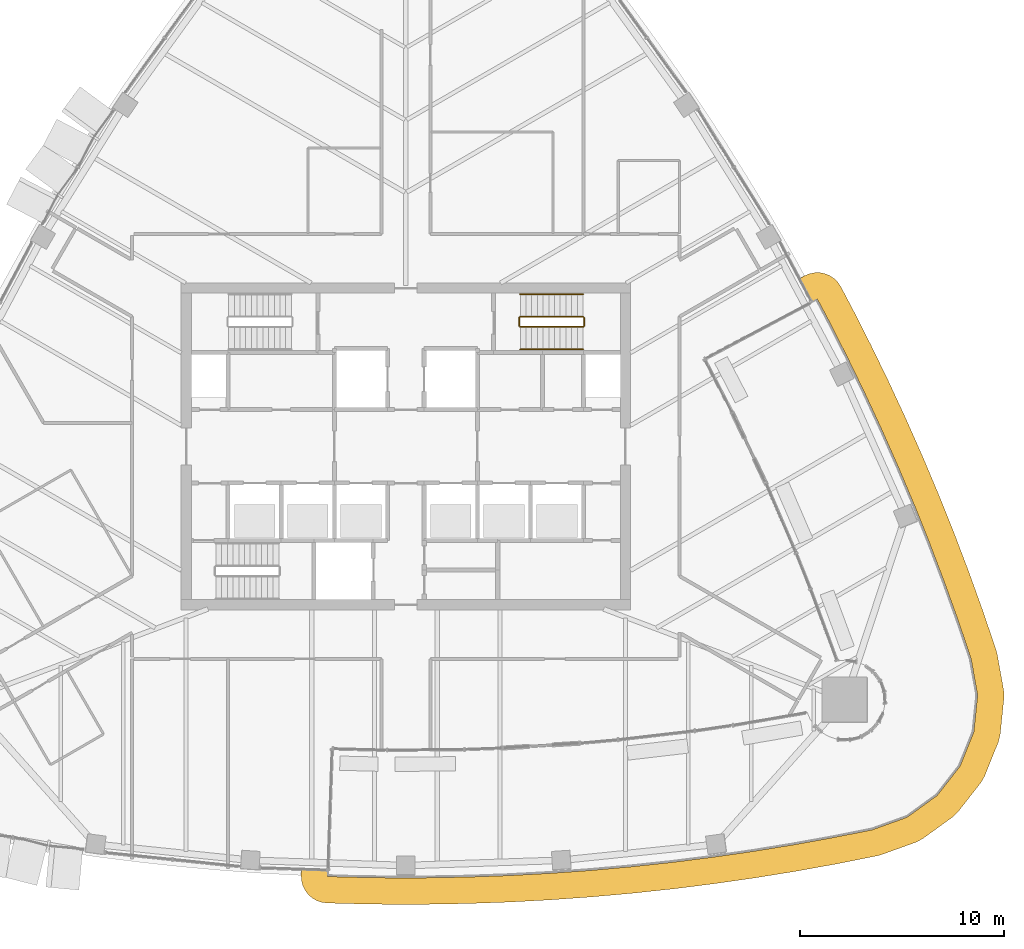
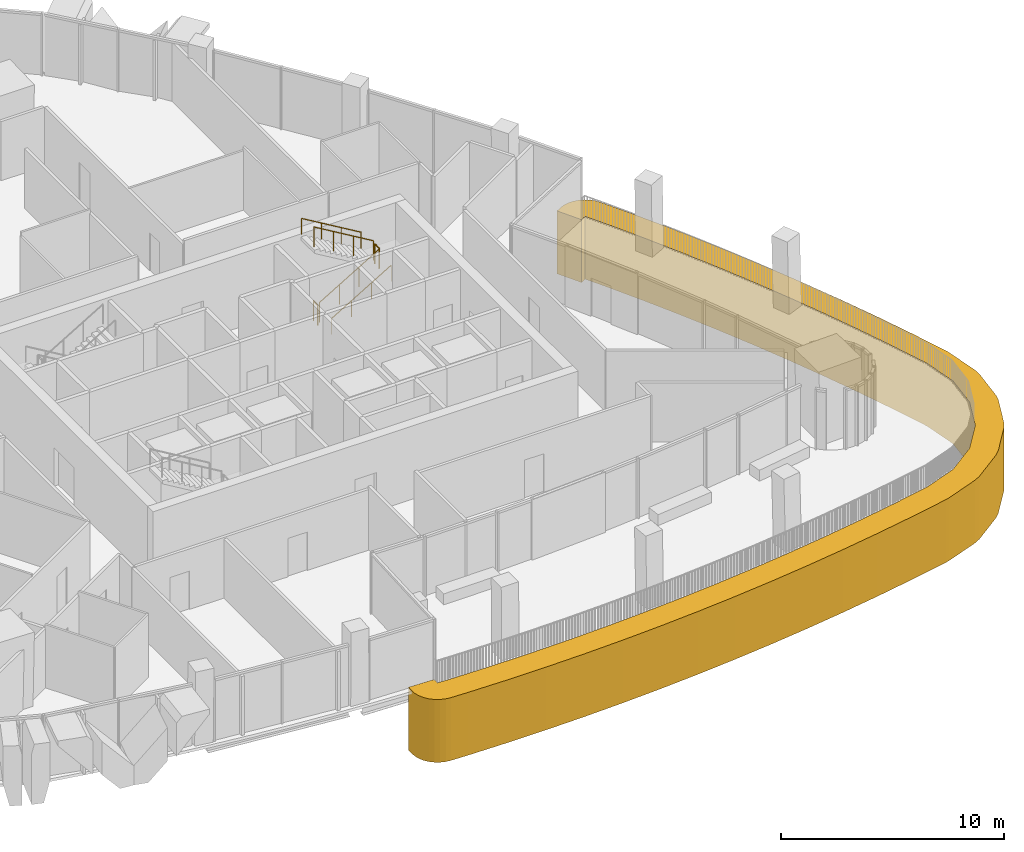
# One storey, part 19 of 21: 6 railings, 1 covering.
"""IFC4 building model written with IfcOpenShell, lengths in metres."""

from ifc_helpers import new_model, si_unit, direction, frame, origin, origin_2d, place, context, subcontext, project, spatial, polyline, circle, outline, extrude, material, layer, layer_set, type_object, element, save


model = new_model("IFC4")

# Units and contexts
model_context = context("Model", 3, precision=1e-05, world=origin(), true_north=direction((0.0, 1.0)))
body_context = subcontext(model_context, "Body", "Model", "MODEL_VIEW")
ifc_project = project(units=[si_unit("LENGTHUNIT", "METRE"), si_unit("AREAUNIT", "SQUARE_METRE"), si_unit("VOLUMEUNIT", "CUBIC_METRE"), si_unit("PLANEANGLEUNIT", "RADIAN"), si_unit("MASSUNIT", "GRAM", prefix="KILO")], contexts=[model_context])

# Site, building, storey
site_placement = place(None, origin())
site = spatial("IfcSite", under=ifc_project, at=site_placement, CompositionType="ELEMENT")
building_placement = place(site_placement, origin())
building = spatial("IfcBuilding", under=site, at=building_placement, Name="Sierra Prisma Convention Tower", CompositionType="ELEMENT")
storey_placement = place(building_placement, frame((0.0, 0.0, 259.0)))
storey = spatial("IfcBuildingStorey", under=building, at=storey_placement, Name="L58", CompositionType="ELEMENT", Elevation=259.0)

# Railings
ifc_material_1 = material(Name="Stainless steel", Category="steel")
railing_type_1 = type_object("IfcRailingType", Name="Exit stair handrail", PredefinedType="HANDRAIL", material=ifc_material_1)
railing_1_placement = place(storey_placement, frame((5.60009765625, 4.75, 0.166748046875)))
element("IfcRailing", 1, at=railing_1_placement, inside=storey, type_object=railing_type_1, Name="L58 S4 stair handrail 1", PredefinedType="HANDRAIL", context=body_context, shape_type="SweptSolid", body=[
    extrude(circle(Radius=0.02392578125, at=origin_2d()), frame((0.0, 0.0, 0.8759765625), z_axis=(0.859290745958, 0.0, 0.51148745235), x_axis=(0.0, 1.0, 0.0)), (0.0, 0.0, 1.0), 3.584228515625),
    extrude(circle(Radius=0.02099609375, at=origin_2d()), origin(), (0.0, 0.0, 1.0), 0.851806640625),
    extrude(circle(Radius=0.02099609375, at=origin_2d()), frame((1.026611328125, 0.0, 0.611083984375)), (0.0, 0.0, 1.0), 0.851806640625),
    extrude(circle(Radius=0.02099609375, at=origin_2d()), frame((2.05322265625, 0.0, 1.22216796875)), (0.0, 0.0, 1.0), 0.851806640625),
    extrude(circle(Radius=0.02099609375, at=origin_2d()), frame((3.079833984375, 0.0, 1.833251953125)), (0.0, 0.0, 1.0), 0.851806640625),
])
railing_2_placement = place(storey_placement, frame((8.679931640625, 7.449951171875, 2.166748046875)))
element("IfcRailing", 2, at=railing_2_placement, inside=storey, type_object=railing_type_1, Name="L58 S4 stair handrail 2", PredefinedType="HANDRAIL", context=body_context, shape_type="SweptSolid", body=[
    extrude(circle(Radius=0.02392578125, at=origin_2d()), frame((0.0, 0.0, 0.8759765625), z_axis=(-0.859290745958, 0.0, 0.51148745235), x_axis=(0.0, -1.0, 0.0)), (0.0, 0.0, 1.0), 3.584228515625),
    extrude(circle(Radius=0.02099609375, at=origin_2d()), origin(), (0.0, 0.0, 1.0), 0.851806640625),
    extrude(circle(Radius=0.02099609375, at=origin_2d()), frame((-1.026611328125, 0.0, 0.611083984375)), (0.0, 0.0, 1.0), 0.851806640625),
    extrude(circle(Radius=0.02099609375, at=origin_2d()), frame((-2.05322265625, 0.0, 1.22216796875)), (0.0, 0.0, 1.0), 0.851806640625),
    extrude(circle(Radius=0.02099609375, at=origin_2d()), frame((-3.079833984375, 0.0, 1.833251953125)), (0.0, 0.0, 1.0), 0.851806640625),
])
ifc_material_2 = material(Name="Stainless steel", Category="steel")
railing_type_2 = type_object("IfcRailingType", Name="Stair guard 1100", PredefinedType="GUARDRAIL", material=ifc_material_2)
railing_3_placement = place(storey_placement, frame((5.60009765625, 5.85009765625, 0.166748046875)))
element("IfcRailing", 3, at=railing_3_placement, inside=storey, type_object=railing_type_2, Name="L58 S4 stair guard 1", PredefinedType="GUARDRAIL", context=body_context, shape_type="SweptSolid", body=[
    extrude(circle(Radius=0.02392578125, at=origin_2d()), frame((0.0, 0.0, 1.076171875), z_axis=(0.859290745958, 0.0, 0.51148745235), x_axis=(0.0, 1.0, 0.0)), (0.0, 0.0, 1.0), 3.584228515625),
    extrude(circle(Radius=0.02099609375, at=origin_2d()), origin(), (0.0, 0.0, 1.0), 1.052001953125),
    extrude(circle(Radius=0.02099609375, at=origin_2d()), frame((1.026611328125, 0.0, 0.611083984375)), (0.0, 0.0, 1.0), 1.052001953125),
    extrude(circle(Radius=0.02099609375, at=origin_2d()), frame((2.05322265625, 0.0, 1.22216796875)), (0.0, 0.0, 1.0), 1.052001953125),
    extrude(circle(Radius=0.02099609375, at=origin_2d()), frame((3.079833984375, 0.0, 1.833251953125)), (0.0, 0.0, 1.0), 1.052001953125),
])
railing_4_placement = place(storey_placement, frame((8.72998046875, 5.89990234375, 2.0)))
element("IfcRailing", 4, at=railing_4_placement, inside=storey, type_object=railing_type_2, Name="L58 S4 stair guard 2", PredefinedType="GUARDRAIL", context=body_context, shape_type="SweptSolid", body=[
    extrude(circle(Radius=0.02392578125, at=origin_2d()), frame((0.0, 0.0, 1.076171875), z_axis=(0.0, 1.0, 0.0), x_axis=(-1.0, 0.0, 0.0)), (0.0, 0.0, 1.0), 0.400146484375),
    extrude(circle(Radius=0.02099609375, at=origin_2d()), origin(), (0.0, 0.0, 1.0), 1.052001953125),
    extrude(circle(Radius=0.02099609375, at=origin_2d()), frame((0.0, 0.400146484375, 0.0)), (0.0, 0.0, 1.0), 1.052001953125),
])
railing_5_placement = place(storey_placement, frame((8.679931640625, 6.35009765625, 2.166748046875)))
element("IfcRailing", 5, at=railing_5_placement, inside=storey, type_object=railing_type_2, Name="L58 S4 stair guard 3", PredefinedType="GUARDRAIL", context=body_context, shape_type="SweptSolid", body=[
    extrude(circle(Radius=0.02392578125, at=origin_2d()), frame((0.0, 0.0, 1.076171875), z_axis=(-0.859290745958, 0.0, 0.51148745235), x_axis=(0.0, -1.0, 0.0)), (0.0, 0.0, 1.0), 3.584228515625),
    extrude(circle(Radius=0.02099609375, at=origin_2d()), origin(), (0.0, 0.0, 1.0), 1.052001953125),
    extrude(circle(Radius=0.02099609375, at=origin_2d()), frame((-1.026611328125, 0.0, 0.611083984375)), (0.0, 0.0, 1.0), 1.052001953125),
    extrude(circle(Radius=0.02099609375, at=origin_2d()), frame((-2.05322265625, 0.0, 1.22216796875)), (0.0, 0.0, 1.0), 1.052001953125),
    extrude(circle(Radius=0.02099609375, at=origin_2d()), frame((-3.079833984375, 0.0, 1.833251953125)), (0.0, 0.0, 1.0), 1.052001953125),
])
railing_6_placement = place(storey_placement, frame((5.550048828125, 5.89990234375, 0.0)))
element("IfcRailing", 6, at=railing_6_placement, inside=storey, type_object=railing_type_2, Name="L58 S4 stair guard 4", PredefinedType="GUARDRAIL", context=body_context, shape_type="SweptSolid", body=[
    extrude(circle(Radius=0.02392578125, at=origin_2d()), frame((0.0, 0.0, 1.076171875), z_axis=(0.0, 1.0, 0.0), x_axis=(-1.0, 0.0, 0.0)), (0.0, 0.0, 1.0), 0.400146484375),
    extrude(circle(Radius=0.02099609375, at=origin_2d()), origin(), (0.0, 0.0, 1.0), 1.052001953125),
    extrude(circle(Radius=0.02099609375, at=origin_2d()), frame((0.0, 0.400146484375, 0.0)), (0.0, 0.0, 1.0), 1.052001953125),
])

# Covering
ifc_material_3 = material(Name="Aluminium composite bronze anodised", Category="aluminium")
ifc_layer = layer(ifc_material_3, 1.300048828125)
ifc_layer_set = layer_set([ifc_layer], Name="Terrace fascia")
covering_type = type_object("IfcCoveringType", Name="Terrace fascia", PredefinedType="CLADDING", material=ifc_layer_set)
covering_placement = place(storey_placement, frame((0.0, 0.0, -3.39990234375)))
element("IfcCovering", 7, at=covering_placement, inside=storey, type_object=covering_type, Name="Terrace fascia L58.1", PredefinedType="CLADDING", context=body_context, shape_type="SweptSolid", body=[
    extrude(outline(polyline([(19.53466796875, 8.3603515625), (19.7705078125, 8.45751953125), (20.020751953125, 8.5068359375), (20.27587890625, 8.50634765625), (20.52587890625, 8.4560546875), (20.76123046875, 8.35791015625), (20.972900390625, 8.2158203125), (21.15283203125, 8.034912109375), (21.2939453125, 7.822265625), (21.843505859375, 6.787109375), (21.85400390625, 6.766357421875), (22.759765625, 4.983642578125), (22.77001953125, 4.962890625), (23.643798828125, 3.1640625), (23.653564453125, 3.14306640625), (24.4951171875, 1.3291015625), (24.504638671875, 1.30810546875), (25.3134765625, -0.520751953125), (25.322509765625, -0.5419921875), (26.0986328125, -2.385009765625), (26.107421875, -2.406494140625), (26.8505859375, -4.262939453125), (26.85888671875, -4.28466796875), (27.568603515625, -6.154052734375), (27.57666015625, -6.17578125), (28.2529296875, -8.0576171875), (28.260498046875, -8.07958984375), (28.903076171875, -9.97314453125), (28.951416015625, -10.160888671875), (29.2724609375, -11.946044921875), (29.2861328125, -12.309326171875), (29.10009765625, -14.11376953125), (29.0126953125, -14.466552734375), (28.334228515625, -16.14892578125), (28.152587890625, -16.4638671875), (27.034912109375, -17.892333984375), (26.77294921875, -18.14453125), (25.30322265625, -19.207763671875), (24.98193359375, -19.377685546875), (23.275390625, -19.9921875), (23.088623046875, -20.044189453125), (21.12744140625, -20.4345703125), (21.1044921875, -20.43896484375), (19.13671875, -20.794189453125), (19.114013671875, -20.798095703125), (17.139892578125, -21.1181640625), (17.1171875, -21.12158203125), (15.1376953125, -21.406494140625), (15.11474609375, -21.40966796875), (13.130859375, -21.658935546875), (13.107666015625, -21.66162109375), (11.119384765625, -21.87548828125), (11.096435546875, -21.8779296875), (9.104736328125, -22.05615234375), (9.08154296875, -22.05810546875), (7.087158203125, -22.20068359375), (7.06396484375, -22.202392578125), (5.067138671875, -22.309326171875), (5.0439453125, -22.310302734375), (3.045654296875, -22.3818359375), (3.0224609375, -22.382568359375), (1.02294921875, -22.418212890625), (0.999755859375, -22.41845703125), (-0.999755859375, -22.41845703125), (-1.02294921875, -22.418212890625), (-3.0224609375, -22.382568359375), (-3.045654296875, -22.3818359375), (-3.87255859375, -22.352294921875), (-4.125, -22.318359375), (-4.36572265625, -22.23583984375), (-4.5859375, -22.10791015625), (-4.777099609375, -21.939697265625), (-4.931640625, -21.7373046875), (-5.043701171875, -21.5087890625), (-5.109130859375, -21.2626953125), (-5.12548828125, -21.008544921875), (-5.11474609375, -20.69580078125), (-3.8154296875, -20.7421875), (-3.826171875, -21.052978515625), (-2.9990234375, -21.082763671875), (-0.999755859375, -21.118408203125), (0.999755859375, -21.118408203125), (2.9990234375, -21.082763671875), (4.99755859375, -21.01123046875), (6.994384765625, -20.904052734375), (8.98876953125, -20.761474609375), (10.98046875, -20.5830078125), (12.968505859375, -20.369140625), (14.95263671875, -20.119873046875), (16.931884765625, -19.8349609375), (18.90576171875, -19.514892578125), (20.87353515625, -19.15966796875), (22.834716796875, -18.769287109375), (24.541259765625, -18.154541015625), (26.010986328125, -17.09130859375), (27.128662109375, -15.66259765625), (27.806884765625, -13.98046875), (27.992919921875, -12.176025390625), (27.672119140625, -10.390869140625), (27.029541015625, -8.497314453125), (26.353271484375, -6.615478515625), (25.6435546875, -4.74609375), (24.900634765625, -2.889404296875), (24.12451171875, -1.046630859375), (23.315673828125, 0.781982421875), (22.474365234375, 2.59619140625), (21.6005859375, 4.39501953125), (20.695068359375, 6.177734375), (20.145751953125, 7.212890625), (19.87109375, 7.066650390625), (19.26171875, 8.215087890625), (19.53466796875, 8.3603515625)])), origin(), (0.0, 0.0, 1.0), 3.43994140625),
])

save(model, "model.ifc")
